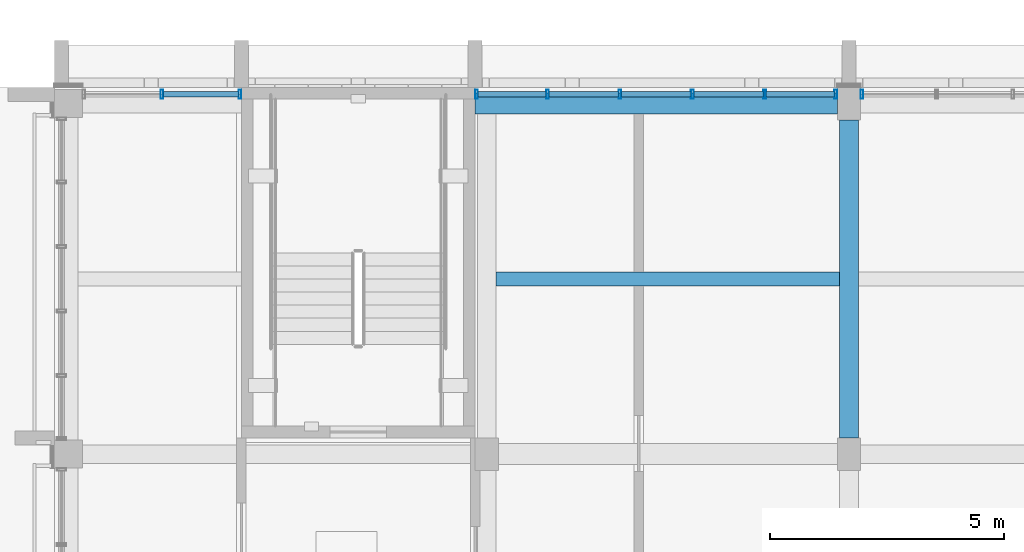
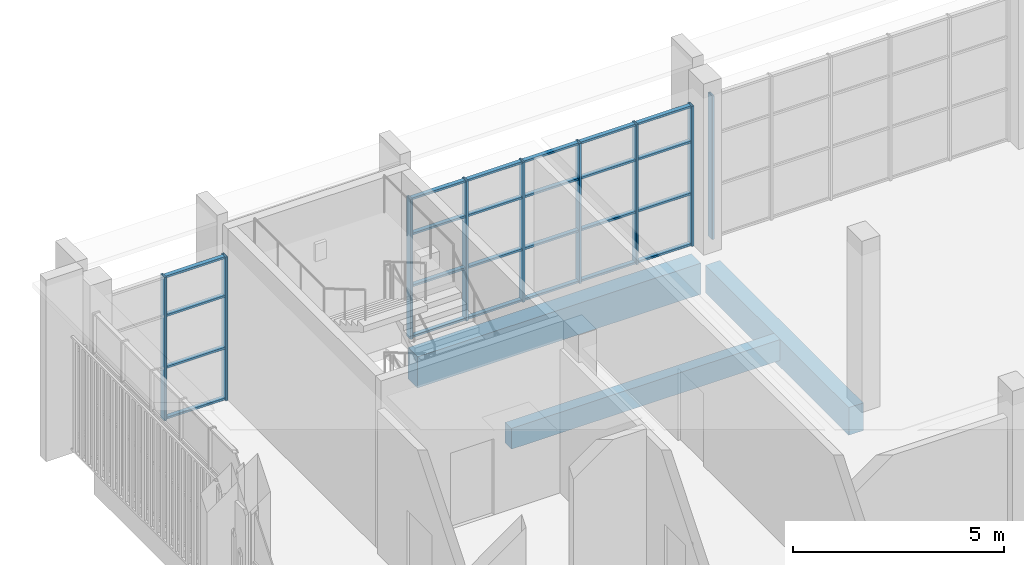
# One storey, part 51 of 125: 33 members, 3 beams, 3 elements without a shape of their own.
"""IFC4 building model written with IfcOpenShell, lengths in metres."""

from ifc_helpers import new_model, si_unit, direction, frame, origin, origin_2d, place, context, subcontext, project, spatial, rectangle, hollow_rectangle, extrude, material, material_profile, profile_set, type_object, element, aggregate, save


model = new_model("IFC4")

# Units and contexts
model_context = context("Model", 3, precision=1e-05, world=origin(), true_north=direction((0.0, 1.0)))
body_context = subcontext(model_context, "Body", "Model", "MODEL_VIEW")
ifc_project = project(units=[si_unit("LENGTHUNIT", "METRE"), si_unit("AREAUNIT", "SQUARE_METRE"), si_unit("VOLUMEUNIT", "CUBIC_METRE"), si_unit("PLANEANGLEUNIT", "RADIAN"), si_unit("MASSUNIT", "GRAM", prefix="KILO")], contexts=[model_context])

# Site, building, storey
site_placement = place(None, origin())
site = spatial("IfcSite", under=ifc_project, at=site_placement, CompositionType="ELEMENT")
building_placement = place(site_placement, origin())
building = spatial("IfcBuilding", under=site, at=building_placement, Name="Sun Court Science Centre", CompositionType="ELEMENT")
storey_placement = place(building_placement, frame((0.0, 0.0, 6.0)))
storey = spatial("IfcBuildingStorey", under=building, at=storey_placement, Name="L01", CompositionType="ELEMENT", Elevation=6.0)

# Curtain wall, members
ifc_material_1 = material(Name="Aluminium EN AW-6063 T6", Category="aluminium")
curtain_wall_type = type_object("IfcCurtainWallType", Name="Laboratory tall bay curtain wall 1500", PredefinedType="NOTDEFINED", material=ifc_material_1)
curtain_wall_1_placement = place(storey_placement, origin())
curtain_wall_1 = element("IfcCurtainWall", 1, at=curtain_wall_1_placement, inside=storey, type_object=curtain_wall_type, Name="Curtain wall V4 N L01 01", PredefinedType="NOTDEFINED")
ifc_material_2 = material(Name="Aluminium EN AW-6063 T6", Category="aluminium")
ifc_material_profile_1 = material_profile(ifc_material_2, hollow_rectangle(XDim=0.06005859375, YDim=0.199951171875, WallThickness=0.0048828125, InnerFilletRadius=0.0048828125, OuterFilletRadius=0.007568359375, at=origin_2d()), Name="AL 60x200x5")
ifc_profile_set_1 = profile_set([ifc_material_profile_1], Name="Aluminium EN AW-6063 T6")
member_type_1 = type_object("IfcMemberType", Name="Curtain wall mullion AL 60x200", PredefinedType="MULLION", material=ifc_profile_set_1)
member_1_placement = place(storey_placement, frame((80.300048828125, 80.85009765625, 0.0), z_axis=(0.0, 0.0, 1.0), x_axis=(1.0, 0.0, 0.0)))
member_1 = element("IfcMember", 2, at=member_1_placement, type_object=member_type_1, Name="CW2-64 mullion 2", PredefinedType="MULLION", context=body_context, shape_type="SweptSolid", body=[
    extrude(hollow_rectangle(XDim=0.06005859375, YDim=0.199951171875, WallThickness=0.0048828125, InnerFilletRadius=0.0048828125, OuterFilletRadius=0.007568359375, at=origin_2d()), origin(), (0.0, 0.0, 1.0), 4.14990234375),
])
member_2_placement = place(storey_placement, frame((81.969970703125, 80.85009765625, 0.0), z_axis=(0.0, 0.0, 1.0), x_axis=(1.0, 0.0, 0.0)))
member_2 = element("IfcMember", 3, at=member_2_placement, type_object=member_type_1, Name="CW2-64 mullion 3", PredefinedType="MULLION", context=body_context, shape_type="SweptSolid", body=[
    extrude(hollow_rectangle(XDim=0.06005859375, YDim=0.199951171875, WallThickness=0.0048828125, InnerFilletRadius=0.0048828125, OuterFilletRadius=0.007568359375, at=origin_2d()), origin(), (0.0, 0.0, 1.0), 4.14990234375),
])

curtain_wall_2_placement = place(storey_placement, origin())
curtain_wall_2 = element("IfcCurtainWall", 4, at=curtain_wall_2_placement, inside=storey, type_object=curtain_wall_type, Name="Curtain wall V4 N L01 02", PredefinedType="NOTDEFINED")
member_3_placement = place(storey_placement, frame((87.030029296875, 80.85009765625, 0.0), z_axis=(0.0, 0.0, 1.0), x_axis=(1.0, 0.0, 0.0)))
member_3 = element("IfcMember", 5, at=member_3_placement, type_object=member_type_1, Name="CW2-65 mullion 1", PredefinedType="MULLION", context=body_context, shape_type="SweptSolid", body=[
    extrude(hollow_rectangle(XDim=0.06005859375, YDim=0.199951171875, WallThickness=0.0048828125, InnerFilletRadius=0.0048828125, OuterFilletRadius=0.007568359375, at=origin_2d()), origin(), (0.0, 0.0, 1.0), 4.050048828125),
])
member_4_placement = place(storey_placement, frame((88.550048828125, 80.85009765625, 0.0), z_axis=(0.0, 0.0, 1.0), x_axis=(1.0, 0.0, 0.0)))
member_4 = element("IfcMember", 6, at=member_4_placement, type_object=member_type_1, Name="CW2-65 mullion 2", PredefinedType="MULLION", context=body_context, shape_type="SweptSolid", body=[
    extrude(hollow_rectangle(XDim=0.06005859375, YDim=0.199951171875, WallThickness=0.0048828125, InnerFilletRadius=0.0048828125, OuterFilletRadius=0.007568359375, at=origin_2d()), origin(), (0.0, 0.0, 1.0), 4.050048828125),
])
member_5_placement = place(storey_placement, frame((90.10009765625, 80.85009765625, 0.0), z_axis=(0.0, 0.0, 1.0), x_axis=(1.0, 0.0, 0.0)))
member_5 = element("IfcMember", 7, at=member_5_placement, type_object=member_type_1, Name="CW2-65 mullion 3", PredefinedType="MULLION", context=body_context, shape_type="SweptSolid", body=[
    extrude(hollow_rectangle(XDim=0.06005859375, YDim=0.199951171875, WallThickness=0.0048828125, InnerFilletRadius=0.0048828125, OuterFilletRadius=0.007568359375, at=origin_2d()), origin(), (0.0, 0.0, 1.0), 4.050048828125),
])
member_6_placement = place(storey_placement, frame((91.64990234375, 80.85009765625, 0.0), z_axis=(0.0, 0.0, 1.0), x_axis=(1.0, 0.0, 0.0)))
member_6 = element("IfcMember", 8, at=member_6_placement, type_object=member_type_1, Name="CW2-65 mullion 4", PredefinedType="MULLION", context=body_context, shape_type="SweptSolid", body=[
    extrude(hollow_rectangle(XDim=0.06005859375, YDim=0.199951171875, WallThickness=0.0048828125, InnerFilletRadius=0.0048828125, OuterFilletRadius=0.007568359375, at=origin_2d()), origin(), (0.0, 0.0, 1.0), 4.050048828125),
])
member_7_placement = place(storey_placement, frame((93.199951171875, 80.85009765625, 0.0), z_axis=(0.0, 0.0, 1.0), x_axis=(1.0, 0.0, 0.0)))
member_7 = element("IfcMember", 9, at=member_7_placement, type_object=member_type_1, Name="CW2-65 mullion 5", PredefinedType="MULLION", context=body_context, shape_type="SweptSolid", body=[
    extrude(hollow_rectangle(XDim=0.06005859375, YDim=0.199951171875, WallThickness=0.0048828125, InnerFilletRadius=0.0048828125, OuterFilletRadius=0.007568359375, at=origin_2d()), origin(), (0.0, 0.0, 1.0), 4.050048828125),
])
member_8_placement = place(storey_placement, frame((94.719970703125, 80.85009765625, 0.0), z_axis=(0.0, 0.0, 1.0), x_axis=(1.0, 0.0, 0.0)))
member_8 = element("IfcMember", 10, at=member_8_placement, type_object=member_type_1, Name="CW2-65 mullion 6", PredefinedType="MULLION", context=body_context, shape_type="SweptSolid", body=[
    extrude(hollow_rectangle(XDim=0.06005859375, YDim=0.199951171875, WallThickness=0.0048828125, InnerFilletRadius=0.0048828125, OuterFilletRadius=0.007568359375, at=origin_2d()), origin(), (0.0, 0.0, 1.0), 4.050048828125),
])

# Curtain wall, member
curtain_wall_3_placement = place(storey_placement, origin())
curtain_wall_3 = element("IfcCurtainWall", 11, at=curtain_wall_3_placement, inside=storey, type_object=curtain_wall_type, Name="Curtain wall V4 N L01 03", PredefinedType="NOTDEFINED")
member_9_placement = place(storey_placement, frame((95.280029296875, 80.85009765625, 0.0), z_axis=(0.0, 0.0, 1.0), x_axis=(1.0, 0.0, 0.0)))
member_9 = element("IfcMember", 12, at=member_9_placement, type_object=member_type_1, Name="CW2-66 mullion 1", PredefinedType="MULLION", context=body_context, shape_type="SweptSolid", body=[
    extrude(hollow_rectangle(XDim=0.06005859375, YDim=0.199951171875, WallThickness=0.0048828125, InnerFilletRadius=0.0048828125, OuterFilletRadius=0.007568359375, at=origin_2d()), origin(), (0.0, 0.0, 1.0), 4.14990234375),
])
aggregate(curtain_wall_3, [member_9])

# Member
ifc_material_3 = material(Name="Aluminium EN AW-6063 T6", Category="aluminium")
ifc_material_profile_2 = material_profile(ifc_material_3, hollow_rectangle(XDim=0.06005859375, YDim=0.1201171875, WallThickness=0.00390625, InnerFilletRadius=0.00390625, OuterFilletRadius=0.006103515625, at=origin_2d()), Name="AL 60x120x4")
ifc_profile_set_2 = profile_set([ifc_material_profile_2], Name="Aluminium EN AW-6063 T6")
member_type_2 = type_object("IfcMemberType", Name="Curtain wall transom AL 60x120", PredefinedType="USERDEFINED", material=ifc_profile_set_2)
member_10_placement = place(storey_placement, frame((80.330078125, 80.85009765625, 0.030029296875), z_axis=(1.0, 0.0, 0.0), x_axis=(0.0, 0.0, 1.0)))
member_10 = element("IfcMember", 13, at=member_10_placement, type_object=member_type_2, Name="CW2-64 transom 2.1", ObjectType="TRANSOM", PredefinedType="USERDEFINED", context=body_context, shape_type="SweptSolid", body=[
    extrude(hollow_rectangle(XDim=0.06005859375, YDim=0.1201171875, WallThickness=0.00390625, InnerFilletRadius=0.00390625, OuterFilletRadius=0.006103515625, at=origin_2d()), origin(), (0.0, 0.0, 1.0), 1.60986328125),
])

member_11_placement = place(storey_placement, frame((80.330078125, 80.85009765625, 1.5), z_axis=(1.0, 0.0, 0.0), x_axis=(0.0, 0.0, 1.0)))
member_11 = element("IfcMember", 14, at=member_11_placement, type_object=member_type_2, Name="CW2-64 transom 2.2", ObjectType="TRANSOM", PredefinedType="USERDEFINED", context=body_context, shape_type="SweptSolid", body=[
    extrude(hollow_rectangle(XDim=0.06005859375, YDim=0.1201171875, WallThickness=0.00390625, InnerFilletRadius=0.00390625, OuterFilletRadius=0.006103515625, at=origin_2d()), origin(), (0.0, 0.0, 1.0), 1.60986328125),
])

member_12_placement = place(storey_placement, frame((80.330078125, 80.85009765625, 3.0), z_axis=(1.0, 0.0, 0.0), x_axis=(0.0, 0.0, 1.0)))
member_12 = element("IfcMember", 15, at=member_12_placement, type_object=member_type_2, Name="CW2-64 transom 2.3", ObjectType="TRANSOM", PredefinedType="USERDEFINED", context=body_context, shape_type="SweptSolid", body=[
    extrude(hollow_rectangle(XDim=0.06005859375, YDim=0.1201171875, WallThickness=0.00390625, InnerFilletRadius=0.00390625, OuterFilletRadius=0.006103515625, at=origin_2d()), origin(), (0.0, 0.0, 1.0), 1.60986328125),
])

member_13_placement = place(storey_placement, frame((80.330078125, 80.85009765625, 4.1201171875), z_axis=(1.0, 0.0, 0.0), x_axis=(0.0, 0.0, 1.0)))
member_13 = element("IfcMember", 16, at=member_13_placement, type_object=member_type_2, Name="CW2-64 transom 2.4", ObjectType="TRANSOM", PredefinedType="USERDEFINED", context=body_context, shape_type="SweptSolid", body=[
    extrude(hollow_rectangle(XDim=0.06005859375, YDim=0.1201171875, WallThickness=0.00390625, InnerFilletRadius=0.00390625, OuterFilletRadius=0.006103515625, at=origin_2d()), origin(), (0.0, 0.0, 1.0), 1.60986328125),
])

aggregate(curtain_wall_1, [member_1, member_2, member_10, member_11, member_12, member_13])

member_14_placement = place(storey_placement, frame((87.06005859375, 80.85009765625, 0.030029296875), z_axis=(1.0, 0.0, 0.0), x_axis=(0.0, 0.0, 1.0)))
member_14 = element("IfcMember", 17, at=member_14_placement, type_object=member_type_2, Name="CW2-65 transom 1.1", ObjectType="TRANSOM", PredefinedType="USERDEFINED", context=body_context, shape_type="SweptSolid", body=[
    extrude(hollow_rectangle(XDim=0.06005859375, YDim=0.1201171875, WallThickness=0.00390625, InnerFilletRadius=0.00390625, OuterFilletRadius=0.006103515625, at=origin_2d()), origin(), (0.0, 0.0, 1.0), 1.4599609375),
])

member_15_placement = place(storey_placement, frame((88.580078125, 80.85009765625, 0.030029296875), z_axis=(1.0, 0.0, 0.0), x_axis=(0.0, 0.0, 1.0)))
member_15 = element("IfcMember", 18, at=member_15_placement, type_object=member_type_2, Name="CW2-65 transom 2.1", ObjectType="TRANSOM", PredefinedType="USERDEFINED", context=body_context, shape_type="SweptSolid", body=[
    extrude(hollow_rectangle(XDim=0.06005859375, YDim=0.1201171875, WallThickness=0.00390625, InnerFilletRadius=0.00390625, OuterFilletRadius=0.006103515625, at=origin_2d()), origin(), (0.0, 0.0, 1.0), 1.489990234375),
])

member_16_placement = place(storey_placement, frame((90.1298828125, 80.85009765625, 0.030029296875), z_axis=(1.0, 0.0, 0.0), x_axis=(0.0, 0.0, 1.0)))
member_16 = element("IfcMember", 19, at=member_16_placement, type_object=member_type_2, Name="CW2-65 transom 3.1", ObjectType="TRANSOM", PredefinedType="USERDEFINED", context=body_context, shape_type="SweptSolid", body=[
    extrude(hollow_rectangle(XDim=0.06005859375, YDim=0.1201171875, WallThickness=0.00390625, InnerFilletRadius=0.00390625, OuterFilletRadius=0.006103515625, at=origin_2d()), origin(), (0.0, 0.0, 1.0), 1.490234375),
])

member_17_placement = place(storey_placement, frame((91.679931640625, 80.85009765625, 0.030029296875), z_axis=(1.0, 0.0, 0.0), x_axis=(0.0, 0.0, 1.0)))
member_17 = element("IfcMember", 20, at=member_17_placement, type_object=member_type_2, Name="CW2-65 transom 4.1", ObjectType="TRANSOM", PredefinedType="USERDEFINED", context=body_context, shape_type="SweptSolid", body=[
    extrude(hollow_rectangle(XDim=0.06005859375, YDim=0.1201171875, WallThickness=0.00390625, InnerFilletRadius=0.00390625, OuterFilletRadius=0.006103515625, at=origin_2d()), origin(), (0.0, 0.0, 1.0), 1.489990234375),
])

member_18_placement = place(storey_placement, frame((93.22998046875, 80.85009765625, 0.030029296875), z_axis=(1.0, 0.0, 0.0), x_axis=(0.0, 0.0, 1.0)))
member_18 = element("IfcMember", 21, at=member_18_placement, type_object=member_type_2, Name="CW2-65 transom 5.1", ObjectType="TRANSOM", PredefinedType="USERDEFINED", context=body_context, shape_type="SweptSolid", body=[
    extrude(hollow_rectangle(XDim=0.06005859375, YDim=0.1201171875, WallThickness=0.00390625, InnerFilletRadius=0.00390625, OuterFilletRadius=0.006103515625, at=origin_2d()), origin(), (0.0, 0.0, 1.0), 1.4599609375),
])

member_19_placement = place(storey_placement, frame((87.06005859375, 80.85009765625, 1.5), z_axis=(1.0, 0.0, 0.0), x_axis=(0.0, 0.0, 1.0)))
member_19 = element("IfcMember", 22, at=member_19_placement, type_object=member_type_2, Name="CW2-65 transom 1.2", ObjectType="TRANSOM", PredefinedType="USERDEFINED", context=body_context, shape_type="SweptSolid", body=[
    extrude(hollow_rectangle(XDim=0.06005859375, YDim=0.1201171875, WallThickness=0.00390625, InnerFilletRadius=0.00390625, OuterFilletRadius=0.006103515625, at=origin_2d()), origin(), (0.0, 0.0, 1.0), 1.4599609375),
])

member_20_placement = place(storey_placement, frame((88.580078125, 80.85009765625, 1.5), z_axis=(1.0, 0.0, 0.0), x_axis=(0.0, 0.0, 1.0)))
member_20 = element("IfcMember", 23, at=member_20_placement, type_object=member_type_2, Name="CW2-65 transom 2.2", ObjectType="TRANSOM", PredefinedType="USERDEFINED", context=body_context, shape_type="SweptSolid", body=[
    extrude(hollow_rectangle(XDim=0.06005859375, YDim=0.1201171875, WallThickness=0.00390625, InnerFilletRadius=0.00390625, OuterFilletRadius=0.006103515625, at=origin_2d()), origin(), (0.0, 0.0, 1.0), 1.489990234375),
])

member_21_placement = place(storey_placement, frame((90.1298828125, 80.85009765625, 1.5), z_axis=(1.0, 0.0, 0.0), x_axis=(0.0, 0.0, 1.0)))
member_21 = element("IfcMember", 24, at=member_21_placement, type_object=member_type_2, Name="CW2-65 transom 3.2", ObjectType="TRANSOM", PredefinedType="USERDEFINED", context=body_context, shape_type="SweptSolid", body=[
    extrude(hollow_rectangle(XDim=0.06005859375, YDim=0.1201171875, WallThickness=0.00390625, InnerFilletRadius=0.00390625, OuterFilletRadius=0.006103515625, at=origin_2d()), origin(), (0.0, 0.0, 1.0), 1.490234375),
])

member_22_placement = place(storey_placement, frame((91.679931640625, 80.85009765625, 1.5), z_axis=(1.0, 0.0, 0.0), x_axis=(0.0, 0.0, 1.0)))
member_22 = element("IfcMember", 25, at=member_22_placement, type_object=member_type_2, Name="CW2-65 transom 4.2", ObjectType="TRANSOM", PredefinedType="USERDEFINED", context=body_context, shape_type="SweptSolid", body=[
    extrude(hollow_rectangle(XDim=0.06005859375, YDim=0.1201171875, WallThickness=0.00390625, InnerFilletRadius=0.00390625, OuterFilletRadius=0.006103515625, at=origin_2d()), origin(), (0.0, 0.0, 1.0), 1.489990234375),
])

member_23_placement = place(storey_placement, frame((93.22998046875, 80.85009765625, 1.5), z_axis=(1.0, 0.0, 0.0), x_axis=(0.0, 0.0, 1.0)))
member_23 = element("IfcMember", 26, at=member_23_placement, type_object=member_type_2, Name="CW2-65 transom 5.2", ObjectType="TRANSOM", PredefinedType="USERDEFINED", context=body_context, shape_type="SweptSolid", body=[
    extrude(hollow_rectangle(XDim=0.06005859375, YDim=0.1201171875, WallThickness=0.00390625, InnerFilletRadius=0.00390625, OuterFilletRadius=0.006103515625, at=origin_2d()), origin(), (0.0, 0.0, 1.0), 1.4599609375),
])

member_24_placement = place(storey_placement, frame((87.06005859375, 80.85009765625, 3.0), z_axis=(1.0, 0.0, 0.0), x_axis=(0.0, 0.0, 1.0)))
member_24 = element("IfcMember", 27, at=member_24_placement, type_object=member_type_2, Name="CW2-65 transom 1.3", ObjectType="TRANSOM", PredefinedType="USERDEFINED", context=body_context, shape_type="SweptSolid", body=[
    extrude(hollow_rectangle(XDim=0.06005859375, YDim=0.1201171875, WallThickness=0.00390625, InnerFilletRadius=0.00390625, OuterFilletRadius=0.006103515625, at=origin_2d()), origin(), (0.0, 0.0, 1.0), 1.4599609375),
])

member_25_placement = place(storey_placement, frame((88.580078125, 80.85009765625, 3.0), z_axis=(1.0, 0.0, 0.0), x_axis=(0.0, 0.0, 1.0)))
member_25 = element("IfcMember", 28, at=member_25_placement, type_object=member_type_2, Name="CW2-65 transom 2.3", ObjectType="TRANSOM", PredefinedType="USERDEFINED", context=body_context, shape_type="SweptSolid", body=[
    extrude(hollow_rectangle(XDim=0.06005859375, YDim=0.1201171875, WallThickness=0.00390625, InnerFilletRadius=0.00390625, OuterFilletRadius=0.006103515625, at=origin_2d()), origin(), (0.0, 0.0, 1.0), 1.489990234375),
])

member_26_placement = place(storey_placement, frame((90.1298828125, 80.85009765625, 3.0), z_axis=(1.0, 0.0, 0.0), x_axis=(0.0, 0.0, 1.0)))
member_26 = element("IfcMember", 29, at=member_26_placement, type_object=member_type_2, Name="CW2-65 transom 3.3", ObjectType="TRANSOM", PredefinedType="USERDEFINED", context=body_context, shape_type="SweptSolid", body=[
    extrude(hollow_rectangle(XDim=0.06005859375, YDim=0.1201171875, WallThickness=0.00390625, InnerFilletRadius=0.00390625, OuterFilletRadius=0.006103515625, at=origin_2d()), origin(), (0.0, 0.0, 1.0), 1.490234375),
])

member_27_placement = place(storey_placement, frame((91.679931640625, 80.85009765625, 3.0), z_axis=(1.0, 0.0, 0.0), x_axis=(0.0, 0.0, 1.0)))
member_27 = element("IfcMember", 30, at=member_27_placement, type_object=member_type_2, Name="CW2-65 transom 4.3", ObjectType="TRANSOM", PredefinedType="USERDEFINED", context=body_context, shape_type="SweptSolid", body=[
    extrude(hollow_rectangle(XDim=0.06005859375, YDim=0.1201171875, WallThickness=0.00390625, InnerFilletRadius=0.00390625, OuterFilletRadius=0.006103515625, at=origin_2d()), origin(), (0.0, 0.0, 1.0), 1.489990234375),
])

member_28_placement = place(storey_placement, frame((93.22998046875, 80.85009765625, 3.0), z_axis=(1.0, 0.0, 0.0), x_axis=(0.0, 0.0, 1.0)))
member_28 = element("IfcMember", 31, at=member_28_placement, type_object=member_type_2, Name="CW2-65 transom 5.3", ObjectType="TRANSOM", PredefinedType="USERDEFINED", context=body_context, shape_type="SweptSolid", body=[
    extrude(hollow_rectangle(XDim=0.06005859375, YDim=0.1201171875, WallThickness=0.00390625, InnerFilletRadius=0.00390625, OuterFilletRadius=0.006103515625, at=origin_2d()), origin(), (0.0, 0.0, 1.0), 1.4599609375),
])

member_29_placement = place(storey_placement, frame((87.06005859375, 80.85009765625, 4.02001953125), z_axis=(1.0, 0.0, 0.0), x_axis=(0.0, 0.0, 1.0)))
member_29 = element("IfcMember", 32, at=member_29_placement, type_object=member_type_2, Name="CW2-65 transom 1.4", ObjectType="TRANSOM", PredefinedType="USERDEFINED", context=body_context, shape_type="SweptSolid", body=[
    extrude(hollow_rectangle(XDim=0.06005859375, YDim=0.1201171875, WallThickness=0.00390625, InnerFilletRadius=0.00390625, OuterFilletRadius=0.006103515625, at=origin_2d()), origin(), (0.0, 0.0, 1.0), 1.4599609375),
])

member_30_placement = place(storey_placement, frame((88.580078125, 80.85009765625, 4.02001953125), z_axis=(1.0, 0.0, 0.0), x_axis=(0.0, 0.0, 1.0)))
member_30 = element("IfcMember", 33, at=member_30_placement, type_object=member_type_2, Name="CW2-65 transom 2.4", ObjectType="TRANSOM", PredefinedType="USERDEFINED", context=body_context, shape_type="SweptSolid", body=[
    extrude(hollow_rectangle(XDim=0.06005859375, YDim=0.1201171875, WallThickness=0.00390625, InnerFilletRadius=0.00390625, OuterFilletRadius=0.006103515625, at=origin_2d()), origin(), (0.0, 0.0, 1.0), 1.489990234375),
])

member_31_placement = place(storey_placement, frame((90.1298828125, 80.85009765625, 4.02001953125), z_axis=(1.0, 0.0, 0.0), x_axis=(0.0, 0.0, 1.0)))
member_31 = element("IfcMember", 34, at=member_31_placement, type_object=member_type_2, Name="CW2-65 transom 3.4", ObjectType="TRANSOM", PredefinedType="USERDEFINED", context=body_context, shape_type="SweptSolid", body=[
    extrude(hollow_rectangle(XDim=0.06005859375, YDim=0.1201171875, WallThickness=0.00390625, InnerFilletRadius=0.00390625, OuterFilletRadius=0.006103515625, at=origin_2d()), origin(), (0.0, 0.0, 1.0), 1.490234375),
])

member_32_placement = place(storey_placement, frame((91.679931640625, 80.85009765625, 4.02001953125), z_axis=(1.0, 0.0, 0.0), x_axis=(0.0, 0.0, 1.0)))
member_32 = element("IfcMember", 35, at=member_32_placement, type_object=member_type_2, Name="CW2-65 transom 4.4", ObjectType="TRANSOM", PredefinedType="USERDEFINED", context=body_context, shape_type="SweptSolid", body=[
    extrude(hollow_rectangle(XDim=0.06005859375, YDim=0.1201171875, WallThickness=0.00390625, InnerFilletRadius=0.00390625, OuterFilletRadius=0.006103515625, at=origin_2d()), origin(), (0.0, 0.0, 1.0), 1.489990234375),
])

member_33_placement = place(storey_placement, frame((93.22998046875, 80.85009765625, 4.02001953125), z_axis=(1.0, 0.0, 0.0), x_axis=(0.0, 0.0, 1.0)))
member_33 = element("IfcMember", 36, at=member_33_placement, type_object=member_type_2, Name="CW2-65 transom 5.4", ObjectType="TRANSOM", PredefinedType="USERDEFINED", context=body_context, shape_type="SweptSolid", body=[
    extrude(hollow_rectangle(XDim=0.06005859375, YDim=0.1201171875, WallThickness=0.00390625, InnerFilletRadius=0.00390625, OuterFilletRadius=0.006103515625, at=origin_2d()), origin(), (0.0, 0.0, 1.0), 1.4599609375),
])

aggregate(curtain_wall_2, [member_3, member_4, member_5, member_6, member_7, member_8, member_14, member_15, member_16, member_17, member_18, member_19, member_20, member_21, member_22, member_23, member_24, member_25, member_26, member_27, member_28, member_29, member_30, member_31, member_32, member_33])

# Beams
ifc_material_4 = material(Name="Concrete C25/30", Category="concrete")
ifc_material_profile_3 = material_profile(ifc_material_4, rectangle(XDim=0.39990234375, YDim=0.800048828125, at=origin_2d()), Name="RC 400x800")
ifc_profile_set_3 = profile_set([ifc_material_profile_3], Name="Concrete C25/30")
beam_type_1 = type_object("IfcBeamType", Name="RC girder 400x800", PredefinedType="BEAM", material=ifc_profile_set_3)
beam_1_placement = place(storey_placement, frame((95.0, 73.5, -0.699951171875), z_axis=(0.0, 1.0, 0.0), x_axis=(-1.0, 0.0, 0.0)))
element("IfcBeam", 37, at=beam_1_placement, inside=storey, type_object=beam_type_1, Name="Girder L01 line 3", PredefinedType="BEAM", context=body_context, shape_type="SweptSolid", body=[
    extrude(rectangle(XDim=0.39990234375, YDim=0.800048828125, at=origin_2d()), origin(), (0.0, 0.0, 1.0), 6.800048828125),
])
ifc_material_5 = material(Name="Concrete C25/30", Category="concrete")
ifc_material_profile_4 = material_profile(ifc_material_5, rectangle(XDim=0.449951171875, YDim=0.89990234375, at=origin_2d()), Name="RC 450x900")
ifc_profile_set_4 = profile_set([ifc_material_profile_4], Name="Concrete C25/30")
beam_type_2 = type_object("IfcBeamType", Name="RC girder 450x900", PredefinedType="BEAM", material=ifc_profile_set_4)
beam_2_placement = place(storey_placement, frame((87.0, 80.64990234375, -0.75), z_axis=(1.0, 0.0, 0.0), x_axis=(0.0, 1.0, 0.0)))
element("IfcBeam", 38, at=beam_2_placement, inside=storey, type_object=beam_type_2, Name="Girder L01 row 11", PredefinedType="BEAM", context=body_context, shape_type="SweptSolid", body=[
    extrude(rectangle(XDim=0.449951171875, YDim=0.89990234375, at=origin_2d()), origin(), (0.0, 0.0, 1.0), 7.75),
])
ifc_material_6 = material(Name="Concrete C25/30", Category="concrete")
ifc_material_profile_5 = material_profile(ifc_material_6, rectangle(XDim=0.300048828125, YDim=0.60009765625, at=origin_2d()), Name="RC 300x600")
ifc_profile_set_5 = profile_set([ifc_material_profile_5], Name="Concrete C25/30")
beam_type_3 = type_object("IfcBeamType", Name="RC joist 300x600", PredefinedType="JOIST", material=ifc_profile_set_5)
beam_3_placement = place(storey_placement, frame((87.449951171875, 76.89990234375, -0.60009765625), z_axis=(1.0, 0.0, 0.0), x_axis=(0.0, 1.0, 0.0)))
element("IfcBeam", 39, at=beam_3_placement, inside=storey, type_object=beam_type_3, Name="Joist L01", PredefinedType="JOIST", context=body_context, shape_type="SweptSolid", body=[
    extrude(rectangle(XDim=0.300048828125, YDim=0.60009765625, at=origin_2d()), origin(), (0.0, 0.0, 1.0), 7.35009765625),
])

save(model, "model.ifc")
